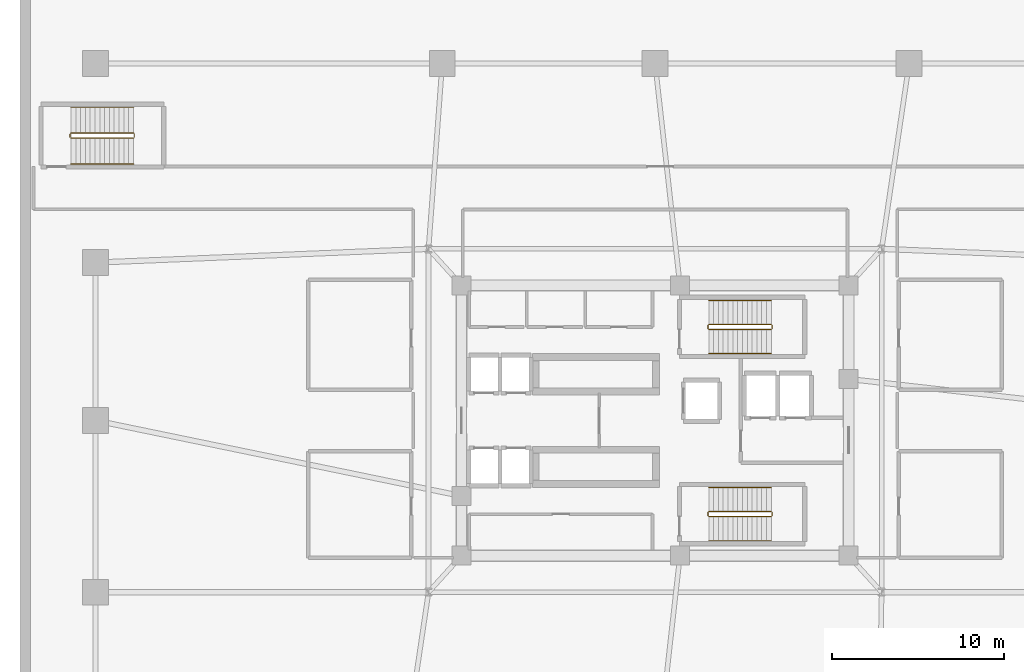
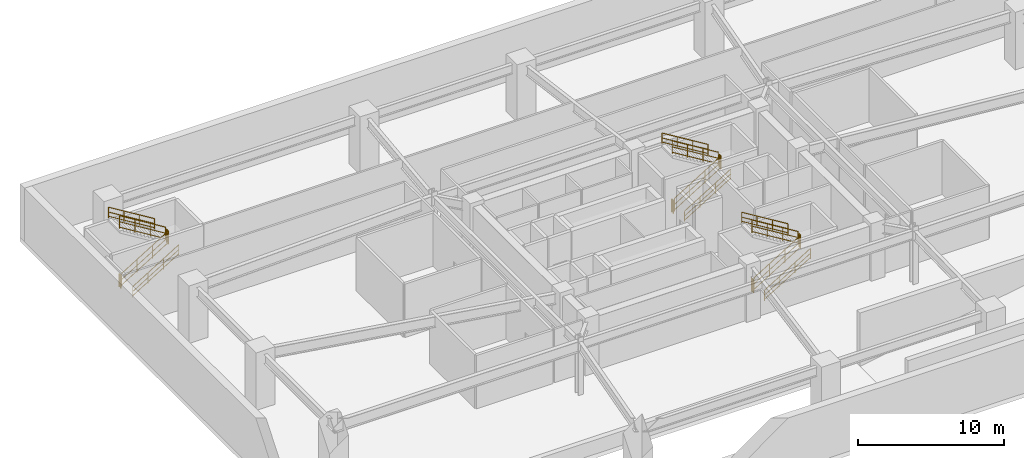
# One storey, part 6 of 7: 18 railings.
"""IFC4 building model written with IfcOpenShell, lengths in metres."""

import ifcopenshell
import ifcopenshell.guid

model = None  # the IFC model being written
_history = None  # IfcOwnerHistory: only IFC2X3 demands one
_inside = {}  # id of a spatial element -> (the spatial element, [elements in it])
_under = {}  # id of a project, library or spatial element -> (it, [spatial elements below it])
_declared = {}  # id of a project -> (the project, [libraries it declares])
_typed = {}  # id of a type object -> (the type object, [elements of that type])
_made_of = {}  # id of a material, layer set ... -> (it, [elements and type objects made of it])


def new_model(schema):
    """Start an empty IFC model of exactly this schema.

    Asked for "IFC4X3", IfcOpenShell would pick the latest addendum, in which some entities
    have other attributes; the version numbers below select the first issue.
    IFC2X3 requires an IfcOwnerHistory on every rooted entity: one is made here for all.
    """
    global model, _history
    if schema == "IFC4X3":
        model = ifcopenshell.file(schema_version=(4, 3, 0, 0))
    else:
        model = ifcopenshell.file(schema=schema)
    _inside.clear()
    _under.clear()
    _declared.clear()
    _typed.clear()
    _made_of.clear()
    _history = None
    if model.schema == "IFC2X3":
        org = make("IfcOrganization", Name="unknown")
        user = make(
            "IfcPersonAndOrganization",
            ThePerson=make("IfcPerson", FamilyName="unknown"),
            TheOrganization=org,
        )
        app = make(
            "IfcApplication",
            ApplicationDeveloper=org,
            Version="unknown",
            ApplicationFullName="unknown",
            ApplicationIdentifier="unknown",
        )
        _history = make(
            "IfcOwnerHistory",
            OwningUser=user,
            OwningApplication=app,
            ChangeAction="ADDED",
            CreationDate=0,
        )
    return model


def make(cls, **values):
    """One entity of the class cls with the attributes given. An attribute that is None is left unset."""
    return model.create_entity(
        cls, **{name: value for name, value in values.items() if value is not None}
    )


def rooted(cls, **values):
    """An entity with a GlobalId (a new one), such as an element, a storey or a relation."""
    return make(cls, GlobalId=ifcopenshell.guid.new(), OwnerHistory=_history, **values)


def si_unit(unit_type, name, prefix=None):
    """IfcSIUnit, for example si_unit("LENGTHUNIT", "METRE", prefix="MILLI")."""
    return make("IfcSIUnit", UnitType=unit_type, Prefix=prefix, Name=name)


def assignment(units):
    """IfcUnitAssignment: the units of a project."""
    return None if units is None else make("IfcUnitAssignment", Units=units)


def point(xyz):
    """IfcCartesianPoint."""
    return None if xyz is None else make("IfcCartesianPoint", Coordinates=xyz)


def direction(xyz):
    """IfcDirection."""
    return None if xyz is None else make("IfcDirection", DirectionRatios=xyz)


def frame(location, z_axis=None, x_axis=None):
    """IfcAxis2Placement3D, a coordinate frame: its origin and axes. An axis left out is left unset."""
    return make(
        "IfcAxis2Placement3D",
        Location=point(location),
        Axis=direction(z_axis),
        RefDirection=direction(x_axis),
    )


def frame_2d(location, x_axis=None):
    """IfcAxis2Placement2D, a coordinate frame in the plane: its origin and x axis."""
    return make(
        "IfcAxis2Placement2D", Location=point(location), RefDirection=direction(x_axis)
    )


def origin():
    """The frame at (0, 0, 0) with its axes left unset."""
    return frame((0.0, 0.0, 0.0))


def origin_2d():
    """The frame at (0, 0) in the plane with its x axis left unset."""
    return frame_2d((0.0, 0.0))


def place(relative_to, where):
    """IfcLocalPlacement: puts the frame where relative to a parent placement (None: the world)."""
    return make(
        "IfcLocalPlacement", PlacementRelTo=relative_to, RelativePlacement=where
    )


def context(
    kind, dimensions, precision=None, world=None, true_north=None, identifier=None
):
    """IfcGeometricRepresentationContext, for example the 3D "Model" context."""
    return make(
        "IfcGeometricRepresentationContext",
        ContextIdentifier=identifier,
        ContextType=kind,
        CoordinateSpaceDimension=dimensions,
        Precision=precision,
        WorldCoordinateSystem=world,
        TrueNorth=true_north,
    )


def subcontext(parent, identifier, kind, view, scale=None):
    """IfcGeometricRepresentationSubContext, for example "Body" below "Model"."""
    return make(
        "IfcGeometricRepresentationSubContext",
        ContextIdentifier=identifier,
        ContextType=kind,
        ParentContext=parent,
        TargetScale=scale,
        TargetView=view,
    )


def project(units=None, contexts=None):
    """IfcProject with its units and contexts."""
    return rooted(
        "IfcProject",
        Name="project",
        RepresentationContexts=contexts,
        UnitsInContext=assignment(units),
    )


def spatial(cls, under=None, at=None, **own):
    """A site, building, storey or space (cls), placed at a placement, below another one or the project."""
    s = rooted(cls, ObjectPlacement=at, **own)
    if under is not None:
        _under.setdefault(under.id(), (under, []))[1].append(s)
    return s


def profile(cls, at=None, kind="AREA", **sizes):
    """A parametric profile (cls). Its sizes go by their IFC names, for example OverallWidth=200.0."""
    return make(cls, ProfileType=kind, Position=at, **sizes)


def rectangle(**sizes):
    """IfcRectangleProfileDef."""
    return profile("IfcRectangleProfileDef", **sizes)


def extrude(swept, where, along, depth):
    """IfcExtrudedAreaSolid: the profile swept, set in the frame where, extruded along a direction by depth."""
    return make(
        "IfcExtrudedAreaSolid",
        SweptArea=swept,
        Position=where,
        ExtrudedDirection=direction(along),
        Depth=depth,
    )


def shape(context_of_items, identifier, shape_type, items):
    """IfcShapeRepresentation: the items that make up one representation, for example the "Body"."""
    return make(
        "IfcShapeRepresentation",
        ContextOfItems=context_of_items,
        RepresentationIdentifier=identifier,
        RepresentationType=shape_type,
        Items=items,
    )


def material(Name=None, Category=None):
    """IfcMaterial."""
    return make("IfcMaterial", Name=Name, Category=Category)


def made_of(thing, what):
    """Note that an element or type object is made of a material, layer set ...; save() writes the relation."""
    if what is not None:
        _made_of.setdefault(what.id(), (what, []))[1].append(thing)
    return thing


def type_object(cls, material=None, **own):
    """A type object (cls), such as IfcWallType, which elements share."""
    return made_of(rooted(cls, **own), material)


def element(
    cls,
    number,
    at=None,
    inside=None,
    cuts=None,
    type_object=None,
    material=None,
    context=None,
    identifier="Body",
    shape_type=None,
    held_by="IfcProductDefinitionShape",
    body=None,
    shapes=None,
    **own,
):
    """One element of the class cls, such as IfcWall. Its Tag is "e" and its number.

    at: its placement. inside: the storey or other place that contains it. cuts: it is an
    opening in that element (IfcRelVoidsElement). A single representation is given by context,
    identifier, shape_type and body (its items); several are given by shapes. held_by: the class
    of the entity that holds the representations. save() writes the other relations.
    """
    e = rooted(cls, Tag="e%d" % number, ObjectPlacement=at, **own)
    if body is not None:
        shapes = [shape(context, identifier, shape_type, body)]
    if shapes is not None:
        e.Representation = make(held_by, Representations=shapes)
    if inside is not None:
        _inside.setdefault(inside.id(), (inside, []))[1].append(e)
    if cuts is not None:
        rooted(
            "IfcRelVoidsElement", RelatingBuildingElement=cuts, RelatedOpeningElement=e
        )
    if type_object is not None:
        _typed.setdefault(type_object.id(), (type_object, []))[1].append(e)
    return made_of(e, material)


def aggregate(whole, parts):
    """IfcRelAggregates: a whole, such as a stair, and the parts it consists of."""
    return rooted("IfcRelAggregates", RelatingObject=whole, RelatedObjects=parts)


def save(model, path):
    """Write the relations noted so far, then the file.

    IfcRelAggregates (storeys below a building ...), IfcRelContainedInSpatialStructure (elements
    in a storey), IfcRelDefinesByType, IfcRelAssociatesMaterial and IfcRelDeclares: one each for
    every whole, place, type object, material and project.
    """
    for whole, parts in _under.values():
        aggregate(whole, parts)
    for where, things in _inside.values():
        rooted(
            "IfcRelContainedInSpatialStructure",
            RelatedElements=things,
            RelatingStructure=where,
        )
    for kind, things in _typed.values():
        rooted("IfcRelDefinesByType", RelatedObjects=things, RelatingType=kind)
    for what, things in _made_of.values():
        rooted("IfcRelAssociatesMaterial", RelatedObjects=things, RelatingMaterial=what)
    for by, libraries in _declared.values():
        rooted("IfcRelDeclares", RelatingContext=by, RelatedDefinitions=libraries)
    model.write(path)


model = new_model("IFC4")

# Units and contexts
model_context = context("Model", 3, precision=1e-05, world=origin(), true_north=direction((0.0, 1.0)))
body_context = subcontext(model_context, "Body", "Model", "MODEL_VIEW")
ifc_project = project(units=[si_unit("LENGTHUNIT", "METRE"), si_unit("AREAUNIT", "SQUARE_METRE"), si_unit("VOLUMEUNIT", "CUBIC_METRE"), si_unit("PLANEANGLEUNIT", "RADIAN"), si_unit("MASSUNIT", "GRAM", prefix="KILO")], contexts=[model_context])

# Site, building, storey
site_placement = place(None, origin())
site = spatial("IfcSite", under=ifc_project, at=site_placement, CompositionType="ELEMENT")
building_placement = place(site_placement, origin())
building = spatial("IfcBuilding", under=site, at=building_placement, Name="Zulverin Broadcast Headquarters", CompositionType="ELEMENT")
storey_placement = place(building_placement, frame((0.0, 0.0, -4.800048828125)))
storey = spatial("IfcBuildingStorey", under=building, at=storey_placement, Name="B1", CompositionType="ELEMENT", Elevation=-4.800048828125)

# Railings
ifc_material_1 = material(Name="Painted galvanized steel tubular guardrail S355JR", Category="steel")
railing_type_1 = type_object("IfcRailingType", Name="RL-ST-GUARD", PredefinedType="GUARDRAIL", material=ifc_material_1)
railing_1_placement = place(storey_placement, frame((40.1298828125, 30.5, 0.17138671875)))
element("IfcRailing", 1, at=railing_1_placement, inside=storey, type_object=railing_type_1, Name="B1 ST-1 stair guard 1", PredefinedType="GUARDRAIL", context=body_context, shape_type="SweptSolid", body=[
    extrude(rectangle(XDim=0.048095703125, YDim=0.048095703125, at=origin_2d()), frame((0.0, 0.0, 1.076171875), z_axis=(0.852840387347, 0.0, 0.522171689878), x_axis=(0.0, 1.0, 0.0)), (0.0, 0.0, 1.0), 4.268310546875),
    extrude(rectangle(XDim=0.0419921875, YDim=0.0419921875, at=origin_2d()), frame((0.0, 0.0, 0.572021484375), z_axis=(0.852840387347, 0.0, 0.522171689878), x_axis=(0.0, 1.0, 0.0)), (0.0, 0.0, 1.0), 4.268310546875),
    extrude(rectangle(XDim=0.0419921875, YDim=0.0419921875, at=origin_2d()), frame((0.0, 0.0, 0.1201171875), z_axis=(0.852840387347, 0.0, 0.522171689878), x_axis=(0.0, 1.0, 0.0)), (0.0, 0.0, 1.0), 4.268310546875),
    extrude(rectangle(XDim=0.0419921875, YDim=0.0419921875, at=origin_2d()), origin(), (0.0, 0.0, 1.0), 1.052001953125),
    extrude(rectangle(XDim=0.0419921875, YDim=0.0419921875, at=origin_2d()), frame((1.21337890625, 0.0, 0.742919921875)), (0.0, 0.0, 1.0), 1.052001953125),
    extrude(rectangle(XDim=0.0419921875, YDim=0.0419921875, at=origin_2d()), frame((2.4267578125, 0.0, 1.48583984375)), (0.0, 0.0, 1.0), 1.052001953125),
    extrude(rectangle(XDim=0.0419921875, YDim=0.0419921875, at=origin_2d()), frame((3.64013671875, 0.0, 2.228759765625)), (0.0, 0.0, 1.0), 1.052001953125),
])
railing_2_placement = place(storey_placement, frame((43.820068359375, 30.550048828125, 2.400146484375)))
element("IfcRailing", 2, at=railing_2_placement, inside=storey, type_object=railing_type_1, Name="B1 ST-1 stair guard 2", PredefinedType="GUARDRAIL", context=body_context, shape_type="SweptSolid", body=[
    extrude(rectangle(XDim=0.048095703125, YDim=0.048095703125, at=origin_2d()), frame((0.0, 0.0, 1.076171875), z_axis=(0.0, 1.0, 0.0), x_axis=(-1.0, 0.0, 0.0)), (0.0, 0.0, 1.0), 0.199951171875),
    extrude(rectangle(XDim=0.0419921875, YDim=0.0419921875, at=origin_2d()), frame((0.0, 0.0, 0.572021484375), z_axis=(0.0, 1.0, 0.0), x_axis=(-1.0, 0.0, 0.0)), (0.0, 0.0, 1.0), 0.199951171875),
    extrude(rectangle(XDim=0.0419921875, YDim=0.0419921875, at=origin_2d()), frame((0.0, 0.0, 0.1201171875), z_axis=(0.0, 1.0, 0.0), x_axis=(-1.0, 0.0, 0.0)), (0.0, 0.0, 1.0), 0.199951171875),
    extrude(rectangle(XDim=0.0419921875, YDim=0.0419921875, at=origin_2d()), origin(), (0.0, 0.0, 1.0), 1.052001953125),
    extrude(rectangle(XDim=0.0419921875, YDim=0.0419921875, at=origin_2d()), frame((0.0, 0.199951171875, 0.0)), (0.0, 0.0, 1.0), 1.052001953125),
])
railing_3_placement = place(storey_placement, frame((43.77001953125, 30.800048828125, 2.571533203125)))
element("IfcRailing", 3, at=railing_3_placement, inside=storey, type_object=railing_type_1, Name="B1 ST-1 stair guard 3", PredefinedType="GUARDRAIL", context=body_context, shape_type="SweptSolid", body=[
    extrude(rectangle(XDim=0.048095703125, YDim=0.048095703125, at=origin_2d()), frame((0.0, 0.0, 1.076171875), z_axis=(-0.852865859571, 0.0, 0.52213008492), x_axis=(0.0, -1.0, 0.0)), (0.0, 0.0, 1.0), 4.26806640625),
    extrude(rectangle(XDim=0.0419921875, YDim=0.0419921875, at=origin_2d()), frame((0.0, 0.0, 0.572021484375), z_axis=(-0.852865859571, 0.0, 0.52213008492), x_axis=(0.0, -1.0, 0.0)), (0.0, 0.0, 1.0), 4.26806640625),
    extrude(rectangle(XDim=0.0419921875, YDim=0.0419921875, at=origin_2d()), frame((0.0, 0.0, 0.1201171875), z_axis=(-0.852865859571, 0.0, 0.52213008492), x_axis=(0.0, -1.0, 0.0)), (0.0, 0.0, 1.0), 4.26806640625),
    extrude(rectangle(XDim=0.0419921875, YDim=0.0419921875, at=origin_2d()), origin(), (0.0, 0.0, 1.0), 1.052001953125),
    extrude(rectangle(XDim=0.0419921875, YDim=0.0419921875, at=origin_2d()), frame((-1.21337890625, 0.0, 0.742919921875)), (0.0, 0.0, 1.0), 1.052001953125),
    extrude(rectangle(XDim=0.0419921875, YDim=0.0419921875, at=origin_2d()), frame((-2.4267578125, 0.0, 1.485595703125)), (0.0, 0.0, 1.0), 1.052001953125),
    extrude(rectangle(XDim=0.0419921875, YDim=0.0419921875, at=origin_2d()), frame((-3.64013671875, 0.0, 2.228515625)), (0.0, 0.0, 1.0), 1.052001953125),
])
railing_4_placement = place(storey_placement, frame((40.080078125, 30.550048828125, 0.0)))
element("IfcRailing", 4, at=railing_4_placement, inside=storey, type_object=railing_type_1, Name="B1 ST-1 stair guard 4", PredefinedType="GUARDRAIL", context=body_context, shape_type="SweptSolid", body=[
    extrude(rectangle(XDim=0.048095703125, YDim=0.048095703125, at=origin_2d()), frame((0.0, 0.0, 1.076171875), z_axis=(0.0, 1.0, 0.0), x_axis=(-1.0, 0.0, 0.0)), (0.0, 0.0, 1.0), 0.199951171875),
    extrude(rectangle(XDim=0.0419921875, YDim=0.0419921875, at=origin_2d()), frame((0.0, 0.0, 0.572021484375), z_axis=(0.0, 1.0, 0.0), x_axis=(-1.0, 0.0, 0.0)), (0.0, 0.0, 1.0), 0.199951171875),
    extrude(rectangle(XDim=0.0419921875, YDim=0.0419921875, at=origin_2d()), frame((0.0, 0.0, 0.1201171875), z_axis=(0.0, 1.0, 0.0), x_axis=(-1.0, 0.0, 0.0)), (0.0, 0.0, 1.0), 0.199951171875),
    extrude(rectangle(XDim=0.0419921875, YDim=0.0419921875, at=origin_2d()), origin(), (0.0, 0.0, 1.0), 1.052001953125),
    extrude(rectangle(XDim=0.0419921875, YDim=0.0419921875, at=origin_2d()), frame((0.0, 0.199951171875, 0.0)), (0.0, 0.0, 1.0), 1.052001953125),
])
railing_5_placement = place(storey_placement, frame((40.1298828125, 19.60009765625, 0.17138671875)))
element("IfcRailing", 5, at=railing_5_placement, inside=storey, type_object=railing_type_1, Name="B1 ST-2 stair guard 1", PredefinedType="GUARDRAIL", context=body_context, shape_type="SweptSolid", body=[
    extrude(rectangle(XDim=0.048095703125, YDim=0.048095703125, at=origin_2d()), frame((0.0, 0.0, 1.076171875), z_axis=(0.852840387347, 0.0, 0.522171689878), x_axis=(0.0, 1.0, 0.0)), (0.0, 0.0, 1.0), 4.268310546875),
    extrude(rectangle(XDim=0.0419921875, YDim=0.0419921875, at=origin_2d()), frame((0.0, 0.0, 0.572021484375), z_axis=(0.852840387347, 0.0, 0.522171689878), x_axis=(0.0, 1.0, 0.0)), (0.0, 0.0, 1.0), 4.268310546875),
    extrude(rectangle(XDim=0.0419921875, YDim=0.0419921875, at=origin_2d()), frame((0.0, 0.0, 0.1201171875), z_axis=(0.852840387347, 0.0, 0.522171689878), x_axis=(0.0, 1.0, 0.0)), (0.0, 0.0, 1.0), 4.268310546875),
    extrude(rectangle(XDim=0.0419921875, YDim=0.0419921875, at=origin_2d()), origin(), (0.0, 0.0, 1.0), 1.052001953125),
    extrude(rectangle(XDim=0.0419921875, YDim=0.0419921875, at=origin_2d()), frame((1.21337890625, 0.0, 0.742919921875)), (0.0, 0.0, 1.0), 1.052001953125),
    extrude(rectangle(XDim=0.0419921875, YDim=0.0419921875, at=origin_2d()), frame((2.4267578125, 0.0, 1.48583984375)), (0.0, 0.0, 1.0), 1.052001953125),
    extrude(rectangle(XDim=0.0419921875, YDim=0.0419921875, at=origin_2d()), frame((3.64013671875, 0.0, 2.228759765625)), (0.0, 0.0, 1.0), 1.052001953125),
])
railing_6_placement = place(storey_placement, frame((43.820068359375, 19.64990234375, 2.400146484375)))
element("IfcRailing", 6, at=railing_6_placement, inside=storey, type_object=railing_type_1, Name="B1 ST-2 stair guard 2", PredefinedType="GUARDRAIL", context=body_context, shape_type="SweptSolid", body=[
    extrude(rectangle(XDim=0.048095703125, YDim=0.048095703125, at=origin_2d()), frame((0.0, 0.0, 1.076171875), z_axis=(0.0, 1.0, 0.0), x_axis=(-1.0, 0.0, 0.0)), (0.0, 0.0, 1.0), 0.2001953125),
    extrude(rectangle(XDim=0.0419921875, YDim=0.0419921875, at=origin_2d()), frame((0.0, 0.0, 0.572021484375), z_axis=(0.0, 1.0, 0.0), x_axis=(-1.0, 0.0, 0.0)), (0.0, 0.0, 1.0), 0.2001953125),
    extrude(rectangle(XDim=0.0419921875, YDim=0.0419921875, at=origin_2d()), frame((0.0, 0.0, 0.1201171875), z_axis=(0.0, 1.0, 0.0), x_axis=(-1.0, 0.0, 0.0)), (0.0, 0.0, 1.0), 0.2001953125),
    extrude(rectangle(XDim=0.0419921875, YDim=0.0419921875, at=origin_2d()), origin(), (0.0, 0.0, 1.0), 1.052001953125),
    extrude(rectangle(XDim=0.0419921875, YDim=0.0419921875, at=origin_2d()), frame((0.0, 0.2001953125, 0.0)), (0.0, 0.0, 1.0), 1.052001953125),
])
railing_7_placement = place(storey_placement, frame((43.77001953125, 19.89990234375, 2.571533203125)))
element("IfcRailing", 7, at=railing_7_placement, inside=storey, type_object=railing_type_1, Name="B1 ST-2 stair guard 3", PredefinedType="GUARDRAIL", context=body_context, shape_type="SweptSolid", body=[
    extrude(rectangle(XDim=0.048095703125, YDim=0.048095703125, at=origin_2d()), frame((0.0, 0.0, 1.076171875), z_axis=(-0.852865859571, 0.0, 0.52213008492), x_axis=(0.0, -1.0, 0.0)), (0.0, 0.0, 1.0), 4.26806640625),
    extrude(rectangle(XDim=0.0419921875, YDim=0.0419921875, at=origin_2d()), frame((0.0, 0.0, 0.572021484375), z_axis=(-0.852865859571, 0.0, 0.52213008492), x_axis=(0.0, -1.0, 0.0)), (0.0, 0.0, 1.0), 4.26806640625),
    extrude(rectangle(XDim=0.0419921875, YDim=0.0419921875, at=origin_2d()), frame((0.0, 0.0, 0.1201171875), z_axis=(-0.852865859571, 0.0, 0.52213008492), x_axis=(0.0, -1.0, 0.0)), (0.0, 0.0, 1.0), 4.26806640625),
    extrude(rectangle(XDim=0.0419921875, YDim=0.0419921875, at=origin_2d()), origin(), (0.0, 0.0, 1.0), 1.052001953125),
    extrude(rectangle(XDim=0.0419921875, YDim=0.0419921875, at=origin_2d()), frame((-1.21337890625, 0.0, 0.742919921875)), (0.0, 0.0, 1.0), 1.052001953125),
    extrude(rectangle(XDim=0.0419921875, YDim=0.0419921875, at=origin_2d()), frame((-2.4267578125, 0.0, 1.485595703125)), (0.0, 0.0, 1.0), 1.052001953125),
    extrude(rectangle(XDim=0.0419921875, YDim=0.0419921875, at=origin_2d()), frame((-3.64013671875, 0.0, 2.228515625)), (0.0, 0.0, 1.0), 1.052001953125),
])
railing_8_placement = place(storey_placement, frame((40.080078125, 19.64990234375, 0.0)))
element("IfcRailing", 8, at=railing_8_placement, inside=storey, type_object=railing_type_1, Name="B1 ST-2 stair guard 4", PredefinedType="GUARDRAIL", context=body_context, shape_type="SweptSolid", body=[
    extrude(rectangle(XDim=0.048095703125, YDim=0.048095703125, at=origin_2d()), frame((0.0, 0.0, 1.076171875), z_axis=(0.0, 1.0, 0.0), x_axis=(-1.0, 0.0, 0.0)), (0.0, 0.0, 1.0), 0.2001953125),
    extrude(rectangle(XDim=0.0419921875, YDim=0.0419921875, at=origin_2d()), frame((0.0, 0.0, 0.572021484375), z_axis=(0.0, 1.0, 0.0), x_axis=(-1.0, 0.0, 0.0)), (0.0, 0.0, 1.0), 0.2001953125),
    extrude(rectangle(XDim=0.0419921875, YDim=0.0419921875, at=origin_2d()), frame((0.0, 0.0, 0.1201171875), z_axis=(0.0, 1.0, 0.0), x_axis=(-1.0, 0.0, 0.0)), (0.0, 0.0, 1.0), 0.2001953125),
    extrude(rectangle(XDim=0.0419921875, YDim=0.0419921875, at=origin_2d()), origin(), (0.0, 0.0, 1.0), 1.052001953125),
    extrude(rectangle(XDim=0.0419921875, YDim=0.0419921875, at=origin_2d()), frame((0.0, 0.2001953125, 0.0)), (0.0, 0.0, 1.0), 1.052001953125),
])
railing_9_placement = place(storey_placement, frame((2.969970703125, 41.64990234375, 0.17138671875)))
element("IfcRailing", 9, at=railing_9_placement, inside=storey, type_object=railing_type_1, Name="B1 ST-3 stair guard 1", PredefinedType="GUARDRAIL", context=body_context, shape_type="SweptSolid", body=[
    extrude(rectangle(XDim=0.048095703125, YDim=0.048095703125, at=origin_2d()), frame((0.0, 0.0, 1.076171875), z_axis=(0.852840387347, 0.0, 0.522171689878), x_axis=(0.0, 1.0, 0.0)), (0.0, 0.0, 1.0), 4.268310546875),
    extrude(rectangle(XDim=0.0419921875, YDim=0.0419921875, at=origin_2d()), frame((0.0, 0.0, 0.572021484375), z_axis=(0.852840387347, 0.0, 0.522171689878), x_axis=(0.0, 1.0, 0.0)), (0.0, 0.0, 1.0), 4.268310546875),
    extrude(rectangle(XDim=0.0419921875, YDim=0.0419921875, at=origin_2d()), frame((0.0, 0.0, 0.1201171875), z_axis=(0.852840387347, 0.0, 0.522171689878), x_axis=(0.0, 1.0, 0.0)), (0.0, 0.0, 1.0), 4.268310546875),
    extrude(rectangle(XDim=0.0419921875, YDim=0.0419921875, at=origin_2d()), origin(), (0.0, 0.0, 1.0), 1.052001953125),
    extrude(rectangle(XDim=0.0419921875, YDim=0.0419921875, at=origin_2d()), frame((1.21337890625, 0.0, 0.742919921875)), (0.0, 0.0, 1.0), 1.052001953125),
    extrude(rectangle(XDim=0.0419921875, YDim=0.0419921875, at=origin_2d()), frame((2.4267578125, 0.0, 1.48583984375)), (0.0, 0.0, 1.0), 1.052001953125),
    extrude(rectangle(XDim=0.0419921875, YDim=0.0419921875, at=origin_2d()), frame((3.64013671875, 0.0, 2.228759765625)), (0.0, 0.0, 1.0), 1.052001953125),
])
railing_10_placement = place(storey_placement, frame((6.659912109375, 41.699951171875, 2.400146484375)))
element("IfcRailing", 10, at=railing_10_placement, inside=storey, type_object=railing_type_1, Name="B1 ST-3 stair guard 2", PredefinedType="GUARDRAIL", context=body_context, shape_type="SweptSolid", body=[
    extrude(rectangle(XDim=0.048095703125, YDim=0.048095703125, at=origin_2d()), frame((0.0, 0.0, 1.076171875), z_axis=(0.0, 1.0, 0.0), x_axis=(-1.0, 0.0, 0.0)), (0.0, 0.0, 1.0), 0.199951171875),
    extrude(rectangle(XDim=0.0419921875, YDim=0.0419921875, at=origin_2d()), frame((0.0, 0.0, 0.572021484375), z_axis=(0.0, 1.0, 0.0), x_axis=(-1.0, 0.0, 0.0)), (0.0, 0.0, 1.0), 0.199951171875),
    extrude(rectangle(XDim=0.0419921875, YDim=0.0419921875, at=origin_2d()), frame((0.0, 0.0, 0.1201171875), z_axis=(0.0, 1.0, 0.0), x_axis=(-1.0, 0.0, 0.0)), (0.0, 0.0, 1.0), 0.199951171875),
    extrude(rectangle(XDim=0.0419921875, YDim=0.0419921875, at=origin_2d()), origin(), (0.0, 0.0, 1.0), 1.052001953125),
    extrude(rectangle(XDim=0.0419921875, YDim=0.0419921875, at=origin_2d()), frame((0.0, 0.199951171875, 0.0)), (0.0, 0.0, 1.0), 1.052001953125),
])
railing_11_placement = place(storey_placement, frame((6.610107421875, 41.949951171875, 2.571533203125)))
element("IfcRailing", 11, at=railing_11_placement, inside=storey, type_object=railing_type_1, Name="B1 ST-3 stair guard 3", PredefinedType="GUARDRAIL", context=body_context, shape_type="SweptSolid", body=[
    extrude(rectangle(XDim=0.048095703125, YDim=0.048095703125, at=origin_2d()), frame((0.0, 0.0, 1.076171875), z_axis=(-0.852865859571, 0.0, 0.52213008492), x_axis=(0.0, -1.0, 0.0)), (0.0, 0.0, 1.0), 4.26806640625),
    extrude(rectangle(XDim=0.0419921875, YDim=0.0419921875, at=origin_2d()), frame((0.0, 0.0, 0.572021484375), z_axis=(-0.852865859571, 0.0, 0.52213008492), x_axis=(0.0, -1.0, 0.0)), (0.0, 0.0, 1.0), 4.26806640625),
    extrude(rectangle(XDim=0.0419921875, YDim=0.0419921875, at=origin_2d()), frame((0.0, 0.0, 0.1201171875), z_axis=(-0.852865859571, 0.0, 0.52213008492), x_axis=(0.0, -1.0, 0.0)), (0.0, 0.0, 1.0), 4.26806640625),
    extrude(rectangle(XDim=0.0419921875, YDim=0.0419921875, at=origin_2d()), origin(), (0.0, 0.0, 1.0), 1.052001953125),
    extrude(rectangle(XDim=0.0419921875, YDim=0.0419921875, at=origin_2d()), frame((-1.21337890625, 0.0, 0.742919921875)), (0.0, 0.0, 1.0), 1.052001953125),
    extrude(rectangle(XDim=0.0419921875, YDim=0.0419921875, at=origin_2d()), frame((-2.4267578125, 0.0, 1.485595703125)), (0.0, 0.0, 1.0), 1.052001953125),
    extrude(rectangle(XDim=0.0419921875, YDim=0.0419921875, at=origin_2d()), frame((-3.64013671875, 0.0, 2.228515625)), (0.0, 0.0, 1.0), 1.052001953125),
])
railing_12_placement = place(storey_placement, frame((2.919921875, 41.699951171875, 0.0)))
element("IfcRailing", 12, at=railing_12_placement, inside=storey, type_object=railing_type_1, Name="B1 ST-3 stair guard 4", PredefinedType="GUARDRAIL", context=body_context, shape_type="SweptSolid", body=[
    extrude(rectangle(XDim=0.048095703125, YDim=0.048095703125, at=origin_2d()), frame((0.0, 0.0, 1.076171875), z_axis=(0.0, 1.0, 0.0), x_axis=(-1.0, 0.0, 0.0)), (0.0, 0.0, 1.0), 0.199951171875),
    extrude(rectangle(XDim=0.0419921875, YDim=0.0419921875, at=origin_2d()), frame((0.0, 0.0, 0.572021484375), z_axis=(0.0, 1.0, 0.0), x_axis=(-1.0, 0.0, 0.0)), (0.0, 0.0, 1.0), 0.199951171875),
    extrude(rectangle(XDim=0.0419921875, YDim=0.0419921875, at=origin_2d()), frame((0.0, 0.0, 0.1201171875), z_axis=(0.0, 1.0, 0.0), x_axis=(-1.0, 0.0, 0.0)), (0.0, 0.0, 1.0), 0.199951171875),
    extrude(rectangle(XDim=0.0419921875, YDim=0.0419921875, at=origin_2d()), origin(), (0.0, 0.0, 1.0), 1.052001953125),
    extrude(rectangle(XDim=0.0419921875, YDim=0.0419921875, at=origin_2d()), frame((0.0, 0.199951171875, 0.0)), (0.0, 0.0, 1.0), 1.052001953125),
])
ifc_material_2 = material(Name="Brushed stainless steel 48 mm handrail", Category="steel")
railing_type_2 = type_object("IfcRailingType", Name="RL-ST-HAND", PredefinedType="HANDRAIL", material=ifc_material_2)
railing_13_placement = place(storey_placement, frame((40.1298828125, 29.10009765625, 0.17138671875)))
element("IfcRailing", 13, at=railing_13_placement, inside=storey, type_object=railing_type_2, Name="B1 ST-1 stair handrail 1", PredefinedType="HANDRAIL", context=body_context, shape_type="SweptSolid", body=[
    extrude(rectangle(XDim=0.048095703125, YDim=0.048095703125, at=origin_2d()), frame((0.0, 0.0, 0.8759765625), z_axis=(0.852840387347, 0.0, 0.522171689878), x_axis=(0.0, 1.0, 0.0)), (0.0, 0.0, 1.0), 4.268310546875),
    extrude(rectangle(XDim=0.0419921875, YDim=0.0419921875, at=origin_2d()), frame((0.0, 0.0, 0.468017578125), z_axis=(0.852840387347, 0.0, 0.522171689878), x_axis=(0.0, 1.0, 0.0)), (0.0, 0.0, 1.0), 4.268310546875),
    extrude(rectangle(XDim=0.0419921875, YDim=0.0419921875, at=origin_2d()), frame((0.0, 0.0, 0.1201171875), z_axis=(0.852840387347, 0.0, 0.522171689878), x_axis=(0.0, 1.0, 0.0)), (0.0, 0.0, 1.0), 4.268310546875),
    extrude(rectangle(XDim=0.0419921875, YDim=0.0419921875, at=origin_2d()), origin(), (0.0, 0.0, 1.0), 0.851806640625),
    extrude(rectangle(XDim=0.0419921875, YDim=0.0419921875, at=origin_2d()), frame((1.21337890625, 0.0, 0.742919921875)), (0.0, 0.0, 1.0), 0.851806640625),
    extrude(rectangle(XDim=0.0419921875, YDim=0.0419921875, at=origin_2d()), frame((2.4267578125, 0.0, 1.48583984375)), (0.0, 0.0, 1.0), 0.851806640625),
    extrude(rectangle(XDim=0.0419921875, YDim=0.0419921875, at=origin_2d()), frame((3.64013671875, 0.0, 2.228759765625)), (0.0, 0.0, 1.0), 0.851806640625),
])
railing_14_placement = place(storey_placement, frame((43.77001953125, 32.199951171875, 2.571533203125)))
element("IfcRailing", 14, at=railing_14_placement, inside=storey, type_object=railing_type_2, Name="B1 ST-1 stair handrail 2", PredefinedType="HANDRAIL", context=body_context, shape_type="SweptSolid", body=[
    extrude(rectangle(XDim=0.048095703125, YDim=0.048095703125, at=origin_2d()), frame((0.0, 0.0, 0.8759765625), z_axis=(-0.852865859571, 0.0, 0.52213008492), x_axis=(0.0, -1.0, 0.0)), (0.0, 0.0, 1.0), 4.26806640625),
    extrude(rectangle(XDim=0.0419921875, YDim=0.0419921875, at=origin_2d()), frame((0.0, 0.0, 0.468017578125), z_axis=(-0.852865859571, 0.0, 0.52213008492), x_axis=(0.0, -1.0, 0.0)), (0.0, 0.0, 1.0), 4.26806640625),
    extrude(rectangle(XDim=0.0419921875, YDim=0.0419921875, at=origin_2d()), frame((0.0, 0.0, 0.1201171875), z_axis=(-0.852865859571, 0.0, 0.52213008492), x_axis=(0.0, -1.0, 0.0)), (0.0, 0.0, 1.0), 4.26806640625),
    extrude(rectangle(XDim=0.0419921875, YDim=0.0419921875, at=origin_2d()), origin(), (0.0, 0.0, 1.0), 0.851806640625),
    extrude(rectangle(XDim=0.0419921875, YDim=0.0419921875, at=origin_2d()), frame((-1.21337890625, 0.0, 0.742919921875)), (0.0, 0.0, 1.0), 0.851806640625),
    extrude(rectangle(XDim=0.0419921875, YDim=0.0419921875, at=origin_2d()), frame((-2.4267578125, 0.0, 1.485595703125)), (0.0, 0.0, 1.0), 0.851806640625),
    extrude(rectangle(XDim=0.0419921875, YDim=0.0419921875, at=origin_2d()), frame((-3.64013671875, 0.0, 2.228515625)), (0.0, 0.0, 1.0), 0.851806640625),
])
railing_15_placement = place(storey_placement, frame((40.1298828125, 18.199951171875, 0.17138671875)))
element("IfcRailing", 15, at=railing_15_placement, inside=storey, type_object=railing_type_2, Name="B1 ST-2 stair handrail 1", PredefinedType="HANDRAIL", context=body_context, shape_type="SweptSolid", body=[
    extrude(rectangle(XDim=0.048095703125, YDim=0.048095703125, at=origin_2d()), frame((0.0, 0.0, 0.8759765625), z_axis=(0.852840387347, 0.0, 0.522171689878), x_axis=(0.0, 1.0, 0.0)), (0.0, 0.0, 1.0), 4.268310546875),
    extrude(rectangle(XDim=0.0419921875, YDim=0.0419921875, at=origin_2d()), frame((0.0, 0.0, 0.468017578125), z_axis=(0.852840387347, 0.0, 0.522171689878), x_axis=(0.0, 1.0, 0.0)), (0.0, 0.0, 1.0), 4.268310546875),
    extrude(rectangle(XDim=0.0419921875, YDim=0.0419921875, at=origin_2d()), frame((0.0, 0.0, 0.1201171875), z_axis=(0.852840387347, 0.0, 0.522171689878), x_axis=(0.0, 1.0, 0.0)), (0.0, 0.0, 1.0), 4.268310546875),
    extrude(rectangle(XDim=0.0419921875, YDim=0.0419921875, at=origin_2d()), origin(), (0.0, 0.0, 1.0), 0.851806640625),
    extrude(rectangle(XDim=0.0419921875, YDim=0.0419921875, at=origin_2d()), frame((1.21337890625, 0.0, 0.742919921875)), (0.0, 0.0, 1.0), 0.851806640625),
    extrude(rectangle(XDim=0.0419921875, YDim=0.0419921875, at=origin_2d()), frame((2.4267578125, 0.0, 1.48583984375)), (0.0, 0.0, 1.0), 0.851806640625),
    extrude(rectangle(XDim=0.0419921875, YDim=0.0419921875, at=origin_2d()), frame((3.64013671875, 0.0, 2.228759765625)), (0.0, 0.0, 1.0), 0.851806640625),
])
railing_16_placement = place(storey_placement, frame((43.77001953125, 21.300048828125, 2.571533203125)))
element("IfcRailing", 16, at=railing_16_placement, inside=storey, type_object=railing_type_2, Name="B1 ST-2 stair handrail 2", PredefinedType="HANDRAIL", context=body_context, shape_type="SweptSolid", body=[
    extrude(rectangle(XDim=0.048095703125, YDim=0.048095703125, at=origin_2d()), frame((0.0, 0.0, 0.8759765625), z_axis=(-0.852865859571, 0.0, 0.52213008492), x_axis=(0.0, -1.0, 0.0)), (0.0, 0.0, 1.0), 4.26806640625),
    extrude(rectangle(XDim=0.0419921875, YDim=0.0419921875, at=origin_2d()), frame((0.0, 0.0, 0.468017578125), z_axis=(-0.852865859571, 0.0, 0.52213008492), x_axis=(0.0, -1.0, 0.0)), (0.0, 0.0, 1.0), 4.26806640625),
    extrude(rectangle(XDim=0.0419921875, YDim=0.0419921875, at=origin_2d()), frame((0.0, 0.0, 0.1201171875), z_axis=(-0.852865859571, 0.0, 0.52213008492), x_axis=(0.0, -1.0, 0.0)), (0.0, 0.0, 1.0), 4.26806640625),
    extrude(rectangle(XDim=0.0419921875, YDim=0.0419921875, at=origin_2d()), origin(), (0.0, 0.0, 1.0), 0.851806640625),
    extrude(rectangle(XDim=0.0419921875, YDim=0.0419921875, at=origin_2d()), frame((-1.21337890625, 0.0, 0.742919921875)), (0.0, 0.0, 1.0), 0.851806640625),
    extrude(rectangle(XDim=0.0419921875, YDim=0.0419921875, at=origin_2d()), frame((-2.4267578125, 0.0, 1.485595703125)), (0.0, 0.0, 1.0), 0.851806640625),
    extrude(rectangle(XDim=0.0419921875, YDim=0.0419921875, at=origin_2d()), frame((-3.64013671875, 0.0, 2.228515625)), (0.0, 0.0, 1.0), 0.851806640625),
])
railing_17_placement = place(storey_placement, frame((2.969970703125, 40.14990234375, 0.17138671875)))
element("IfcRailing", 17, at=railing_17_placement, inside=storey, type_object=railing_type_2, Name="B1 ST-3 stair handrail 1", PredefinedType="HANDRAIL", context=body_context, shape_type="SweptSolid", body=[
    extrude(rectangle(XDim=0.048095703125, YDim=0.048095703125, at=origin_2d()), frame((0.0, 0.0, 0.8759765625), z_axis=(0.852840387347, 0.0, 0.522171689878), x_axis=(0.0, 1.0, 0.0)), (0.0, 0.0, 1.0), 4.268310546875),
    extrude(rectangle(XDim=0.0419921875, YDim=0.0419921875, at=origin_2d()), frame((0.0, 0.0, 0.468017578125), z_axis=(0.852840387347, 0.0, 0.522171689878), x_axis=(0.0, 1.0, 0.0)), (0.0, 0.0, 1.0), 4.268310546875),
    extrude(rectangle(XDim=0.0419921875, YDim=0.0419921875, at=origin_2d()), frame((0.0, 0.0, 0.1201171875), z_axis=(0.852840387347, 0.0, 0.522171689878), x_axis=(0.0, 1.0, 0.0)), (0.0, 0.0, 1.0), 4.268310546875),
    extrude(rectangle(XDim=0.0419921875, YDim=0.0419921875, at=origin_2d()), origin(), (0.0, 0.0, 1.0), 0.851806640625),
    extrude(rectangle(XDim=0.0419921875, YDim=0.0419921875, at=origin_2d()), frame((1.21337890625, 0.0, 0.742919921875)), (0.0, 0.0, 1.0), 0.851806640625),
    extrude(rectangle(XDim=0.0419921875, YDim=0.0419921875, at=origin_2d()), frame((2.4267578125, 0.0, 1.48583984375)), (0.0, 0.0, 1.0), 0.851806640625),
    extrude(rectangle(XDim=0.0419921875, YDim=0.0419921875, at=origin_2d()), frame((3.64013671875, 0.0, 2.228759765625)), (0.0, 0.0, 1.0), 0.851806640625),
])
railing_18_placement = place(storey_placement, frame((6.610107421875, 43.449951171875, 2.571533203125)))
element("IfcRailing", 18, at=railing_18_placement, inside=storey, type_object=railing_type_2, Name="B1 ST-3 stair handrail 2", PredefinedType="HANDRAIL", context=body_context, shape_type="SweptSolid", body=[
    extrude(rectangle(XDim=0.048095703125, YDim=0.048095703125, at=origin_2d()), frame((0.0, 0.0, 0.8759765625), z_axis=(-0.852865859571, 0.0, 0.52213008492), x_axis=(0.0, -1.0, 0.0)), (0.0, 0.0, 1.0), 4.26806640625),
    extrude(rectangle(XDim=0.0419921875, YDim=0.0419921875, at=origin_2d()), frame((0.0, 0.0, 0.468017578125), z_axis=(-0.852865859571, 0.0, 0.52213008492), x_axis=(0.0, -1.0, 0.0)), (0.0, 0.0, 1.0), 4.26806640625),
    extrude(rectangle(XDim=0.0419921875, YDim=0.0419921875, at=origin_2d()), frame((0.0, 0.0, 0.1201171875), z_axis=(-0.852865859571, 0.0, 0.52213008492), x_axis=(0.0, -1.0, 0.0)), (0.0, 0.0, 1.0), 4.26806640625),
    extrude(rectangle(XDim=0.0419921875, YDim=0.0419921875, at=origin_2d()), origin(), (0.0, 0.0, 1.0), 0.851806640625),
    extrude(rectangle(XDim=0.0419921875, YDim=0.0419921875, at=origin_2d()), frame((-1.21337890625, 0.0, 0.742919921875)), (0.0, 0.0, 1.0), 0.851806640625),
    extrude(rectangle(XDim=0.0419921875, YDim=0.0419921875, at=origin_2d()), frame((-2.4267578125, 0.0, 1.485595703125)), (0.0, 0.0, 1.0), 0.851806640625),
    extrude(rectangle(XDim=0.0419921875, YDim=0.0419921875, at=origin_2d()), frame((-3.64013671875, 0.0, 2.228515625)), (0.0, 0.0, 1.0), 0.851806640625),
])

save(model, "model.ifc")
